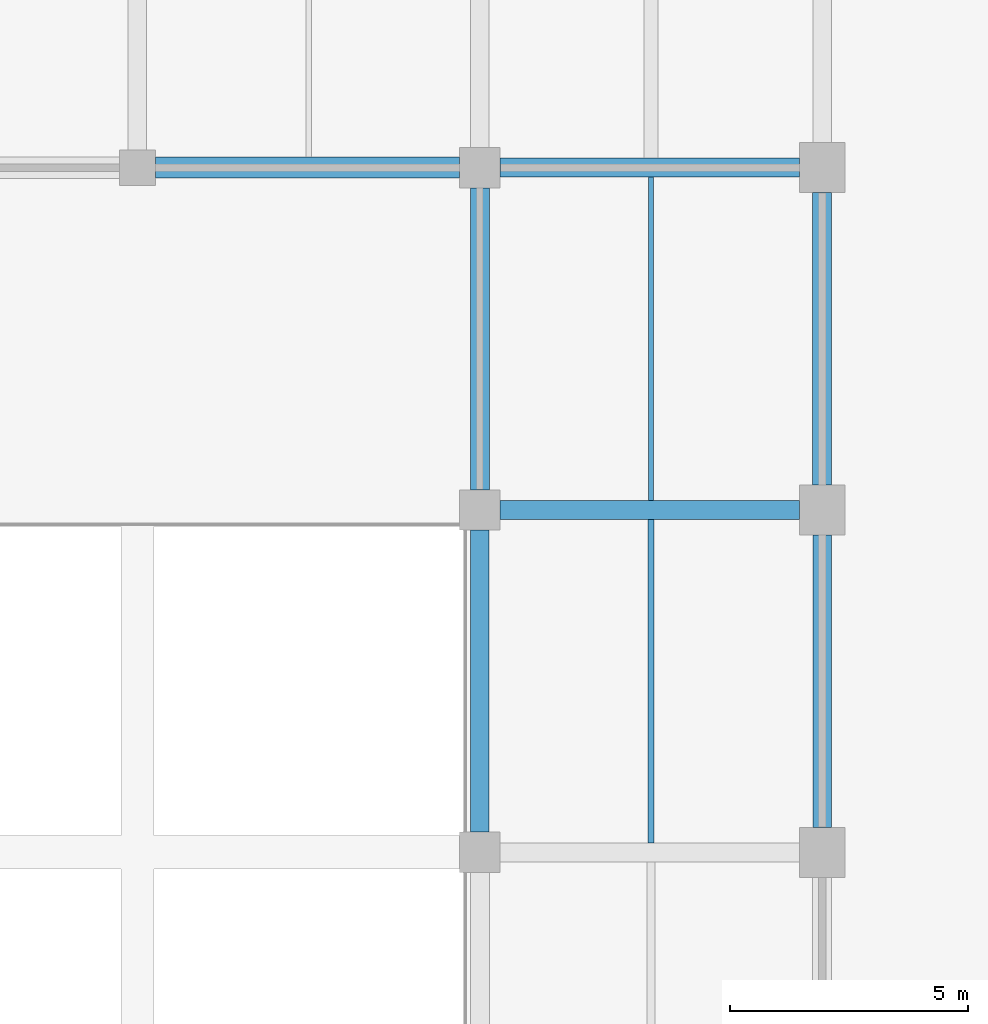
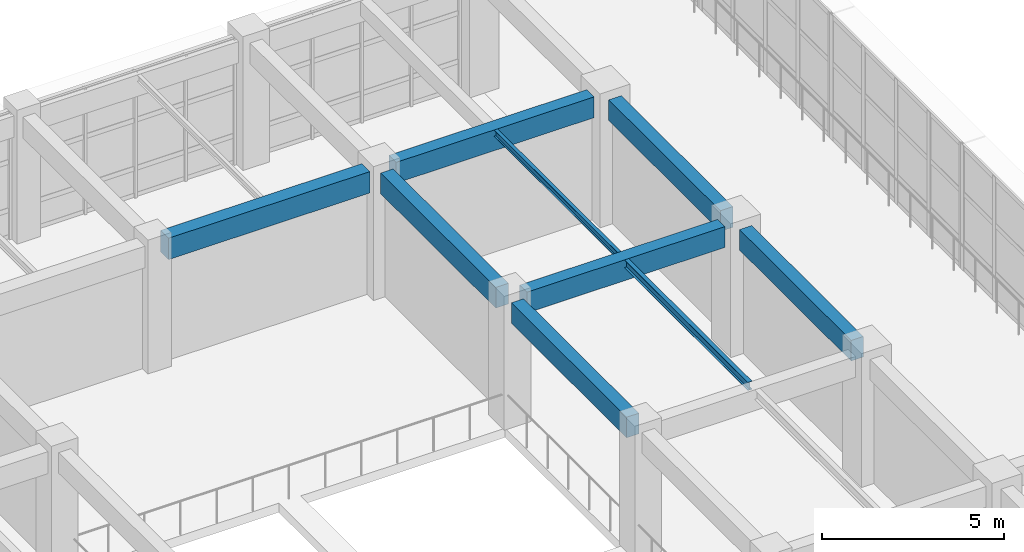
# One storey, part 33 of 171: 9 beams.
"""IFC4 building model written with IfcOpenShell, lengths in metres."""

from ifc_helpers import new_model, si_unit, direction, frame, origin, origin_2d, place, context, subcontext, project, spatial, rectangle, i_section, extrude, material, material_profile, profile_set, type_object, element, save


model = new_model("IFC4")

# Units and contexts
model_context = context("Model", 3, precision=1e-05, world=origin(), true_north=direction((0.0, 1.0)))
body_context = subcontext(model_context, "Body", "Model", "MODEL_VIEW")
ifc_project = project(units=[si_unit("LENGTHUNIT", "METRE"), si_unit("AREAUNIT", "SQUARE_METRE"), si_unit("VOLUMEUNIT", "CUBIC_METRE"), si_unit("PLANEANGLEUNIT", "RADIAN"), si_unit("MASSUNIT", "GRAM", prefix="KILO")], contexts=[model_context])

# Site, building, storey
site_placement = place(None, origin())
site = spatial("IfcSite", under=ifc_project, at=site_placement, CompositionType="ELEMENT")
building_placement = place(site_placement, origin())
building = spatial("IfcBuilding", under=site, at=building_placement, Name="Thalmaran Polytechnic", CompositionType="ELEMENT")
storey_placement = place(building_placement, frame((0.0, 0.0, 5.39990234375)))
storey = spatial("IfcBuildingStorey", under=building, at=storey_placement, Name="L01", CompositionType="ELEMENT", Elevation=5.39990234375)

# Beams
ifc_material_1 = material(Name="Concrete C40/50", Category="concrete")
ifc_material_profile_1 = material_profile(ifc_material_1, rectangle(XDim=0.39990234375, YDim=0.699951171875, at=origin_2d()), Name="RC 400x700")
ifc_profile_set_1 = profile_set([ifc_material_profile_1], Name="Concrete C40/50")
beam_type_1 = type_object("IfcBeamType", Name="BM-RC05", PredefinedType="BEAM", material=ifc_profile_set_1)
for number, where, z_axis, x_axis, name in (
    (1, (101.22509765625, 21.60009765625, 3.860107421875), (1.0, 0.0, 0.0), (0.0, 1.0, 0.0), "Grid Beam B05 L01 X(14,3)"),
    (2, (101.22509765625, 28.800048828125, 3.860107421875), (1.0, 0.0, 0.0), (0.0, 1.0, 0.0), "Grid Beam B05 L01 X(14,4)"),
):
    element("IfcBeam", number, at=place(storey_placement, frame(where, z_axis=z_axis, x_axis=x_axis)), inside=storey, type_object=beam_type_1, Name=name, PredefinedType="BEAM", context=body_context, shape_type="SweptSolid", body=[
        extrude(rectangle(XDim=0.39990234375, YDim=0.699951171875, at=origin_2d()), origin(), (0.0, 0.0, 1.0), 6.2998046875),
    ])
ifc_material_profile_2 = material_profile(ifc_material_1, rectangle(XDim=0.389892578125, YDim=0.68994140625, at=origin_2d()), Name="RC 390x690")
ifc_profile_set_2 = profile_set([ifc_material_profile_2], Name="Concrete C40/50")
beam_type_2 = type_object("IfcBeamType", Name="BM-RC09", PredefinedType="BEAM", material=ifc_profile_set_2)
beam_1_placement = place(storey_placement, frame((100.800048828125, 14.824951171875, 3.864990234375), z_axis=(0.0, 1.0, 0.0), x_axis=(-1.0, 0.0, 0.0)))
element("IfcBeam", 3, at=beam_1_placement, inside=storey, type_object=beam_type_2, Name="Grid Beam B09 L01 Y(14,2)", PredefinedType="BEAM", context=body_context, shape_type="SweptSolid", body=[
    extrude(rectangle(XDim=0.389892578125, YDim=0.68994140625, at=origin_2d()), origin(), (0.0, 0.0, 1.0), 6.35009765625),
])
beam_2_placement = place(storey_placement, frame((108.0, 14.925048828125, 3.864990234375), z_axis=(0.0, 1.0, 0.0), x_axis=(-1.0, 0.0, 0.0)))
element("IfcBeam", 4, at=beam_2_placement, inside=storey, type_object=beam_type_2, Name="Grid Beam B09 L01 Y(15,2)", PredefinedType="BEAM", context=body_context, shape_type="SweptSolid", body=[
    extrude(rectangle(XDim=0.389892578125, YDim=0.68994140625, at=origin_2d()), origin(), (0.0, 0.0, 1.0), 6.14990234375),
])
ifc_material_2 = material(Name="Steel S355", Category="steel")
ifc_material_profile_3 = material_profile(ifc_material_2, i_section(OverallWidth=0.135009765625, OverallDepth=0.27001953125, WebThickness=0.006591796875, FlangeThickness=0.01025390625, at=origin_2d()), Name="IPE 270")
ifc_profile_set_3 = profile_set([ifc_material_profile_3], Name="Steel S355")
beam_type_3 = type_object("IfcBeamType", Name="BM-SJ03", PredefinedType="JOIST", material=ifc_profile_set_3)
beam_3_placement = place(storey_placement, frame((104.39990234375, 14.60009765625, 4.0751953125), z_axis=(0.0, 1.0, 0.0), x_axis=(-1.0, 0.0, 0.0)))
element("IfcBeam", 5, at=beam_3_placement, inside=storey, type_object=beam_type_3, Name="Secondary Floor Rib SJ03 L01 (14,2)", PredefinedType="JOIST", context=body_context, shape_type="SweptSolid", body=[
    extrude(i_section(OverallWidth=0.135009765625, OverallDepth=0.27001953125, WebThickness=0.006591796875, FlangeThickness=0.01025390625, at=origin_2d()), origin(), (0.0, 0.0, 1.0), 6.7998046875),
])
ifc_material_profile_4 = material_profile(ifc_material_2, i_section(OverallWidth=0.110107421875, OverallDepth=0.219970703125, WebThickness=0.005859375, FlangeThickness=0.00927734375, at=origin_2d()), Name="IPE 220")
ifc_profile_set_4 = profile_set([ifc_material_profile_4], Name="Steel S355")
beam_type_4 = type_object("IfcBeamType", Name="BM-SJ04", PredefinedType="JOIST", material=ifc_profile_set_4)
beam_4_placement = place(storey_placement, frame((104.39990234375, 21.800048828125, 4.10009765625), z_axis=(0.0, 1.0, 0.0), x_axis=(-1.0, 0.0, 0.0)))
element("IfcBeam", 6, at=beam_4_placement, inside=storey, type_object=beam_type_4, Name="Secondary Floor Rib SJ04 L01 (14,3)", PredefinedType="JOIST", context=body_context, shape_type="SweptSolid", body=[
    extrude(i_section(OverallWidth=0.110107421875, OverallDepth=0.219970703125, WebThickness=0.005859375, FlangeThickness=0.00927734375, at=origin_2d()), origin(), (0.0, 0.0, 1.0), 6.800048828125),
])
ifc_material_profile_5 = material_profile(ifc_material_1, rectangle(XDim=0.43994140625, YDim=0.719970703125, at=origin_2d()), Name="RC 440x720")
ifc_profile_set_5 = profile_set([ifc_material_profile_5], Name="Concrete C40/50")
beam_type_5 = type_object("IfcBeamType", Name="BM-ZB03", PredefinedType="BEAM", material=ifc_profile_set_5)
beam_5_placement = place(storey_placement, frame((93.97509765625, 28.800048828125, 3.85009765625), z_axis=(1.0, 0.0, 0.0), x_axis=(0.0, 1.0, 0.0)))
element("IfcBeam", 7, at=beam_5_placement, inside=storey, type_object=beam_type_5, Name="Grid Beam ZB03 L01 X(13,4)", PredefinedType="BEAM", context=body_context, shape_type="SweptSolid", body=[
    extrude(rectangle(XDim=0.43994140625, YDim=0.719970703125, at=origin_2d()), origin(), (0.0, 0.0, 1.0), 6.39990234375),
])
ifc_material_profile_6 = material_profile(ifc_material_1, rectangle(XDim=0.39990234375, YDim=0.695068359375, at=origin_2d()), Name="RC 400x695")
ifc_profile_set_6 = profile_set([ifc_material_profile_6], Name="Concrete C40/50")
beam_type_6 = type_object("IfcBeamType", Name="BM-ZB08", PredefinedType="BEAM", material=ifc_profile_set_6)
beam_6_placement = place(storey_placement, frame((100.800048828125, 22.02490234375, 3.862548828125), z_axis=(0.0, 1.0, 0.0), x_axis=(-1.0, 0.0, 0.0)))
element("IfcBeam", 8, at=beam_6_placement, inside=storey, type_object=beam_type_6, Name="Grid Beam ZB08 L01 Y(14,3)", PredefinedType="BEAM", context=body_context, shape_type="SweptSolid", body=[
    extrude(rectangle(XDim=0.39990234375, YDim=0.695068359375, at=origin_2d()), origin(), (0.0, 0.0, 1.0), 6.35009765625),
])
beam_7_placement = place(storey_placement, frame((108.0, 22.125, 3.862548828125), z_axis=(0.0, 1.0, 0.0), x_axis=(-1.0, 0.0, 0.0)))
element("IfcBeam", 9, at=beam_7_placement, inside=storey, type_object=beam_type_6, Name="Grid Beam ZB08 L01 Y(15,3)", PredefinedType="BEAM", context=body_context, shape_type="SweptSolid", body=[
    extrude(rectangle(XDim=0.39990234375, YDim=0.695068359375, at=origin_2d()), origin(), (0.0, 0.0, 1.0), 6.14990234375),
])

save(model, "model.ifc")
